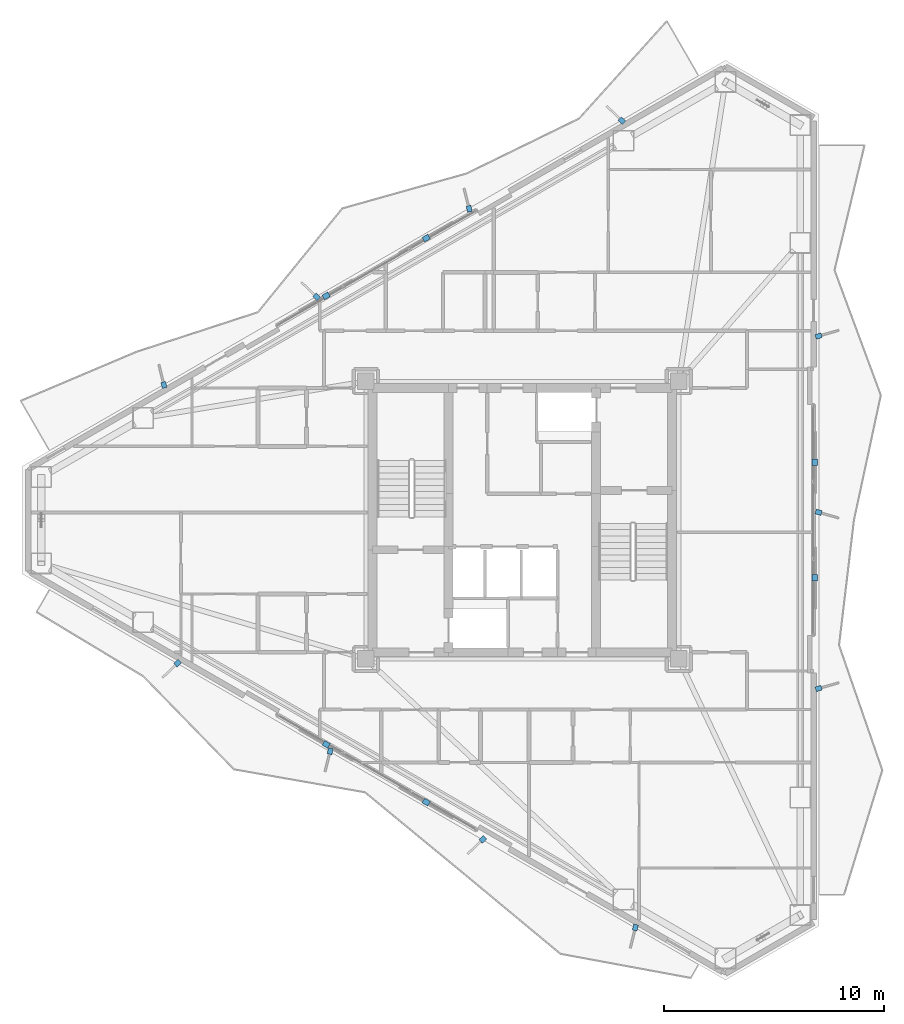
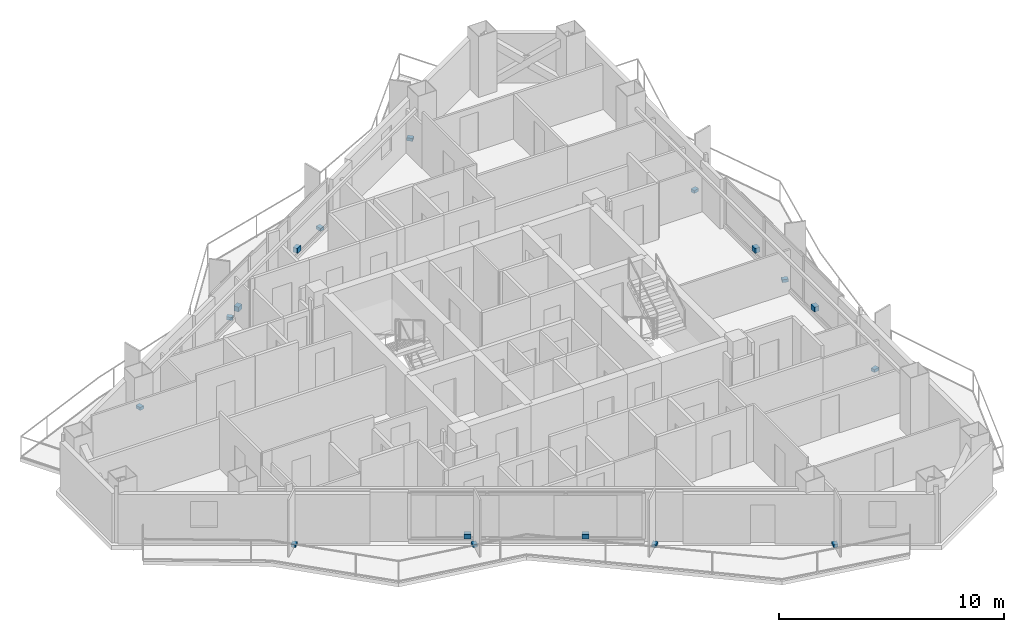
# One storey, part 17 of 19: 17 discrete accessories.
"""IFC4 building model written with IfcOpenShell, lengths in metres."""

from ifc_helpers import new_model, si_unit, direction, frame, origin, origin_2d, place, context, subcontext, project, spatial, rectangle, extrude, material, layer, layer_set, type_object, element, save


model = new_model("IFC4")

# Units and contexts
model_context = context("Model", 3, precision=1e-05, world=origin(), true_north=direction((0.0, 1.0)))
body_context = subcontext(model_context, "Body", "Model", "MODEL_VIEW")
ifc_project = project(units=[si_unit("LENGTHUNIT", "METRE"), si_unit("AREAUNIT", "SQUARE_METRE"), si_unit("VOLUMEUNIT", "CUBIC_METRE"), si_unit("PLANEANGLEUNIT", "RADIAN"), si_unit("MASSUNIT", "GRAM", prefix="KILO")], contexts=[model_context])

# Site, building, storey
site_placement = place(None, origin())
site = spatial("IfcSite", under=ifc_project, at=site_placement, CompositionType="ELEMENT")
building_placement = place(site_placement, origin())
building = spatial("IfcBuilding", under=site, at=building_placement, Name="Mersakhor Tower and Convention Hall", CompositionType="ELEMENT")
storey_placement = place(building_placement, frame((0.0, 0.0, 147.60009765625)))
storey = spatial("IfcBuildingStorey", under=building, at=storey_placement, Name="L41", CompositionType="ELEMENT", Elevation=147.60009765625)

# Discrete accessories
ifc_material = material(Name="Galvanised steel bracket", Category="steel")
ifc_layer = layer(ifc_material, 0.02001953125)
ifc_layer_set = layer_set([ifc_layer], Name="Galvanised steel bracket")
discrete_accessory_type = type_object("IfcDiscreteAccessoryType", Name="ACC-BRK-STL", PredefinedType="BRACKET", material=ifc_layer_set)
for number, where, z_axis, x_axis, name in (
    (1, (20.09521484375, 36.9306640625, 0.2900390625), (0.0, 0.0, 1.0), (0.866025403784, 0.5, 0.0), "L41 Solar Screen Outrigger Bracket BRK-1-1"),
    (2, (24.6357421875, 39.55224609375, 0.2900390625), (0.0, 0.0, 1.0), (0.866025403784, 0.5, 0.0), "L41 Solar Screen Outrigger Bracket BRK-1-2"),
):
    element("IfcDiscreteAccessory", number, at=place(storey_placement, frame(where, z_axis=z_axis, x_axis=x_axis)), inside=storey, type_object=discrete_accessory_type, Name=name, PredefinedType="BRACKET", context=body_context, shape_type="SweptSolid", body=[
        extrude(rectangle(XDim=0.300048828125, YDim=0.239990234375, at=origin_2d()), origin(), (0.0, 0.0, 1.0), 0.260009765625),
    ])
for number, where, z_axis, x_axis, name in (
    (3, (12.72900390625, 32.8857421875, -0.02001953125), (0.0, 0.0, 1.0), (-0.2419218956, 0.970295726276, 0.0), "L41 Facade Fin Base Cleat Bracket FBRK-1-1"),
    (4, (19.656982421875, 36.8857421875, -0.02001953125), (0.0, 0.0, 1.0), (-0.719339800339, 0.694658370459, 0.0), "L41 Facade Fin Base Cleat Bracket FBRK-1-2"),
    (5, (26.585205078125, 40.885498046875, -0.02001953125), (0.0, 0.0, 1.0), (-0.2419218956, 0.970295726276, 0.0), "L41 Facade Fin Base Cleat Bracket FBRK-1-3"),
    (6, (33.513427734375, 44.885498046875, -0.02001953125), (0.0, 0.0, 1.0), (-0.719339800339, 0.694658370459, 0.0), "L41 Facade Fin Base Cleat Bracket FBRK-1-4"),
):
    element("IfcDiscreteAccessory", number, at=place(storey_placement, frame(where, z_axis=z_axis, x_axis=x_axis)), inside=storey, type_object=discrete_accessory_type, Name=name, PredefinedType="BRACKET", context=body_context, shape_type="SweptSolid", body=[
        extrude(rectangle(XDim=0.280029296875, YDim=0.219970703125, at=origin_2d()), origin(), (0.0, 0.0, 1.0), 0.159912109375),
    ])
for number, where, z_axis, x_axis, name in (
    (7, (42.269287109375, 29.37158203125, 0.2900390625), (0.0, 0.0, 1.0), (0.0, -1.0, 0.0), "L41 Solar Screen Outrigger Bracket BRK-2-1"),
    (8, (42.269287109375, 24.12841796875, 0.2900390625), (0.0, 0.0, 1.0), (0.0, -1.0, 0.0), "L41 Solar Screen Outrigger Bracket BRK-2-2"),
):
    element("IfcDiscreteAccessory", number, at=place(storey_placement, frame(where, z_axis=z_axis, x_axis=x_axis)), inside=storey, type_object=discrete_accessory_type, Name=name, PredefinedType="BRACKET", context=body_context, shape_type="SweptSolid", body=[
        extrude(rectangle(XDim=0.300048828125, YDim=0.239990234375, at=origin_2d()), origin(), (0.0, 0.0, 1.0), 0.260009765625),
    ])
for number, where, z_axis, x_axis, name in (
    (9, (42.44921875, 35.106689453125, -0.02001953125), (0.0, 0.0, 1.0), (0.961261695938, 0.275637355817, 0.0), "L41 Facade Fin Base Cleat Bracket FBRK-2-1"),
    (10, (42.44921875, 27.106689453125, -0.02001953125), (0.0, 0.0, 1.0), (0.961261695938, -0.275637355817, 0.0), "L41 Facade Fin Base Cleat Bracket FBRK-2-2"),
    (11, (42.44921875, 19.106689453125, -0.02001953125), (0.0, 0.0, 1.0), (0.961261695938, 0.275637355817, 0.0), "L41 Facade Fin Base Cleat Bracket FBRK-2-3"),
):
    element("IfcDiscreteAccessory", number, at=place(storey_placement, frame(where, z_axis=z_axis, x_axis=x_axis)), inside=storey, type_object=discrete_accessory_type, Name=name, PredefinedType="BRACKET", context=body_context, shape_type="SweptSolid", body=[
        extrude(rectangle(XDim=0.280029296875, YDim=0.219970703125, at=origin_2d()), origin(), (0.0, 0.0, 1.0), 0.159912109375),
    ])
for number, where, z_axis, x_axis, name in (
    (12, (24.6357421875, 13.94775390625, 0.2900390625), (0.0, 0.0, 1.0), (-0.866025403784, 0.5, 0.0), "L41 Solar Screen Outrigger Bracket BRK-3-1"),
    (13, (20.09521484375, 16.5693359375, 0.2900390625), (0.0, 0.0, 1.0), (-0.866025403784, 0.5, 0.0), "L41 Solar Screen Outrigger Bracket BRK-3-2"),
):
    element("IfcDiscreteAccessory", number, at=place(storey_placement, frame(where, z_axis=z_axis, x_axis=x_axis)), inside=storey, type_object=discrete_accessory_type, Name=name, PredefinedType="BRACKET", context=body_context, shape_type="SweptSolid", body=[
        extrude(rectangle(XDim=0.300048828125, YDim=0.239990234375, at=origin_2d()), origin(), (0.0, 0.0, 1.0), 0.260009765625),
    ])
for number, where, z_axis, x_axis, name in (
    (14, (34.13134765625, 8.2578125, -0.02001953125), (0.0, 0.0, 1.0), (-0.2419218956, -0.970295726276, 0.0), "L41 Facade Fin Base Cleat Bracket FBRK-3-1"),
    (15, (27.203125, 12.2578125, -0.02001953125), (0.0, 0.0, 1.0), (-0.719339800339, -0.694658370459, 0.0), "L41 Facade Fin Base Cleat Bracket FBRK-3-2"),
    (16, (20.27490234375, 16.2578125, -0.02001953125), (0.0, 0.0, 1.0), (-0.2419218956, -0.970295726276, 0.0), "L41 Facade Fin Base Cleat Bracket FBRK-3-3"),
    (17, (13.3466796875, 20.2578125, -0.02001953125), (0.0, 0.0, 1.0), (-0.719339800339, -0.694658370459, 0.0), "L41 Facade Fin Base Cleat Bracket FBRK-3-4"),
):
    element("IfcDiscreteAccessory", number, at=place(storey_placement, frame(where, z_axis=z_axis, x_axis=x_axis)), inside=storey, type_object=discrete_accessory_type, Name=name, PredefinedType="BRACKET", context=body_context, shape_type="SweptSolid", body=[
        extrude(rectangle(XDim=0.280029296875, YDim=0.219970703125, at=origin_2d()), origin(), (0.0, 0.0, 1.0), 0.159912109375),
    ])

save(model, "model.ifc")
